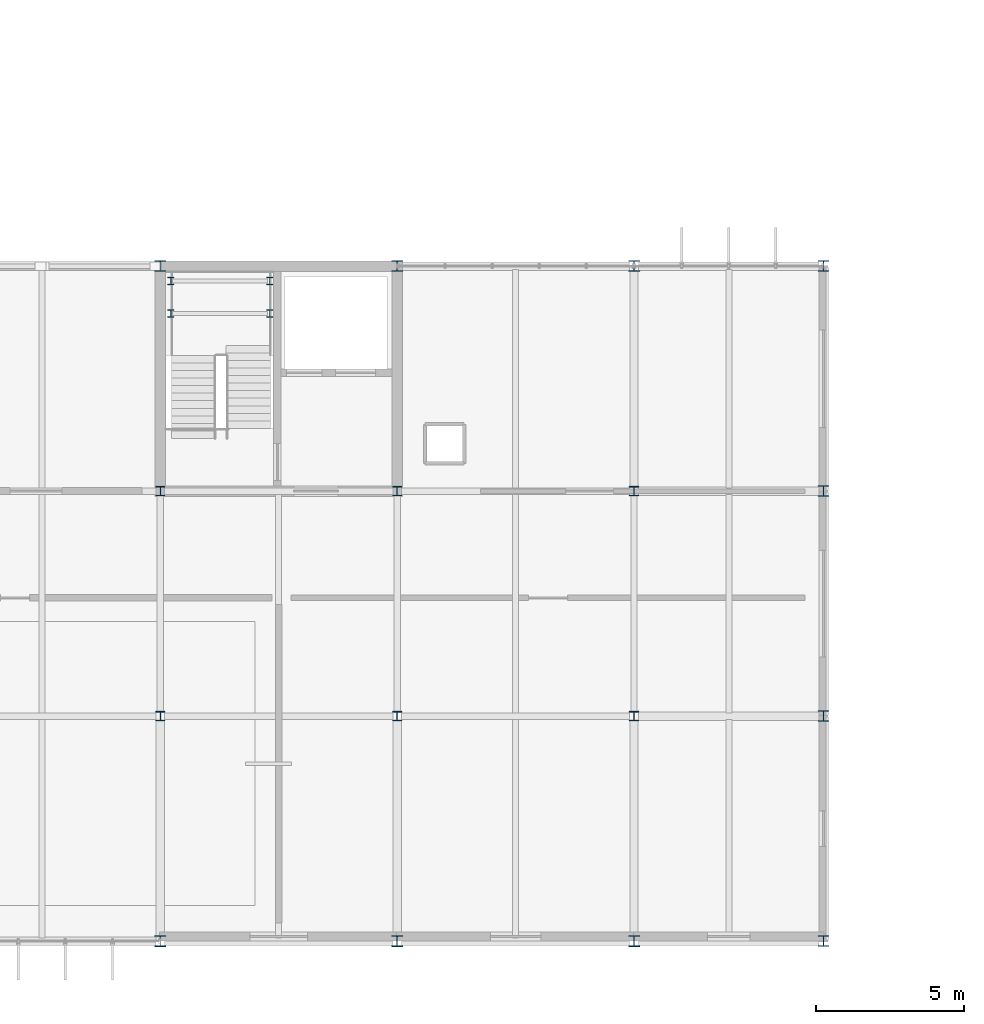
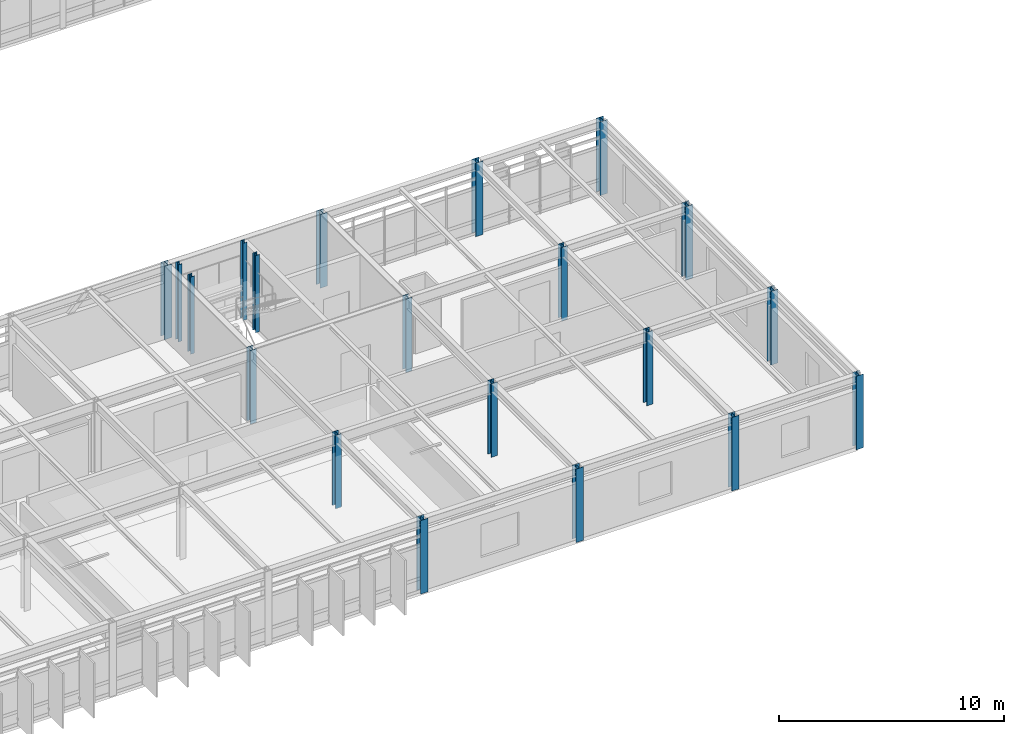
# One storey, part 3 of 45: 20 columns.
"""IFC4 building model written with IfcOpenShell, lengths in metres."""

from ifc_helpers import new_model, si_unit, direction, frame, origin, origin_2d, place, context, subcontext, project, spatial, i_section, extrude, material, material_profile, profile_set, type_object, element, save


model = new_model("IFC4")

# Units and contexts
model_context = context("Model", 3, precision=1e-05, world=origin(), true_north=direction((0.0, 1.0)))
body_context = subcontext(model_context, "Body", "Model", "MODEL_VIEW")
ifc_project = project(units=[si_unit("LENGTHUNIT", "METRE"), si_unit("AREAUNIT", "SQUARE_METRE"), si_unit("VOLUMEUNIT", "CUBIC_METRE"), si_unit("PLANEANGLEUNIT", "RADIAN"), si_unit("MASSUNIT", "GRAM", prefix="KILO")], contexts=[model_context])

# Site, building, storey
site_placement = place(None, origin())
site = spatial("IfcSite", under=ifc_project, at=site_placement, CompositionType="ELEMENT")
building_placement = place(site_placement, origin())
building = spatial("IfcBuilding", under=site, at=building_placement, Name="Zulena Civic Courthouse", CompositionType="ELEMENT")
storey_placement = place(building_placement, frame((0.0, 0.0, 29.39990234375)))
storey = spatial("IfcBuildingStorey", under=building, at=storey_placement, Name="L06", CompositionType="ELEMENT", Elevation=29.39990234375)

# Columns
ifc_material = material(Name="Steel ASTM A992 Grade 50", Category="steel")
ifc_material_profile_1 = material_profile(ifc_material, i_section(OverallWidth=0.2041015625, OverallDepth=0.257080078125, WebThickness=0.0087890625, FlangeThickness=0.015625, FilletRadius=0.0126953125, at=origin_2d()), Name="W10X45")
ifc_profile_set_1 = profile_set([ifc_material_profile_1], Name="Steel ASTM A992 Grade 50")
column_type_1 = type_object("IfcColumnType", Name="Col_W10X45", PredefinedType="COLUMN", material=ifc_profile_set_1)
for number, where, z_axis, x_axis, name in (
    (1, (44.360107421875, 21.199951171875, 0.0), (0.0, 0.0, 1.0), (1.0, 0.0, 0.0), "col:lnd:K2B:L06:0:0"),
    (2, (47.699951171875, 21.199951171875, 0.0), (0.0, 0.0, 1.0), (1.0, 0.0, 0.0), "col:lnd:K2B:L06:0:1"),
    (3, (44.360107421875, 22.300048828125, 0.0), (0.0, 0.0, 1.0), (1.0, 0.0, 0.0), "col:lnd:K2B:L06:1:0"),
    (4, (47.699951171875, 22.300048828125, 0.0), (0.0, 0.0, 1.0), (1.0, 0.0, 0.0), "col:lnd:K2B:L06:1:1"),
):
    element("IfcColumn", number, at=place(storey_placement, frame(where, z_axis=z_axis, x_axis=x_axis)), inside=storey, type_object=column_type_1, Name=name, PredefinedType="COLUMN", context=body_context, shape_type="SweptSolid", body=[
        extrude(i_section(OverallWidth=0.2041015625, OverallDepth=0.257080078125, WebThickness=0.0087890625, FlangeThickness=0.015625, FilletRadius=0.0126953125, at=origin_2d()), origin(), (0.0, 0.0, 1.0), 4.195068359375),
    ])
ifc_material_profile_2 = material_profile(ifc_material, i_section(OverallWidth=0.30908203125, OverallDepth=0.322998046875, WebThickness=0.013916015625, FlangeThickness=0.02294921875, FilletRadius=0.01513671875, at=origin_2d()), Name="W12X96")
ifc_profile_set_2 = profile_set([ifc_material_profile_2], Name="Steel ASTM A992 Grade 50")
column_type_2 = type_object("IfcColumnType", Name="Col_W12X96", PredefinedType="COLUMN", material=ifc_profile_set_2)
for number, where, z_axis, x_axis, name in (
    (5, (44.0, 7.60009765625, 0.0), (0.0, 0.0, 1.0), (1.0, 0.0, 0.0), "col:V2:L06:44.0:7.6"),
    (6, (44.0, 15.199951171875, 0.0), (0.0, 0.0, 1.0), (1.0, 0.0, 0.0), "col:V2:L06:44.0:15.2"),
    (7, (52.0, 7.60009765625, 0.0), (0.0, 0.0, 1.0), (1.0, 0.0, 0.0), "col:V2:L06:52.0:7.6"),
    (8, (52.0, 15.199951171875, 0.0), (0.0, 0.0, 1.0), (1.0, 0.0, 0.0), "col:V2:L06:52.0:15.2"),
    (9, (60.0, 7.60009765625, 0.0), (0.0, 0.0, 1.0), (1.0, 0.0, 0.0), "col:V2:L06:60.0:7.6"),
    (10, (60.0, 15.199951171875, 0.0), (0.0, 0.0, 1.0), (1.0, 0.0, 0.0), "col:V2:L06:60.0:15.2"),
):
    element("IfcColumn", number, at=place(storey_placement, frame(where, z_axis=z_axis, x_axis=x_axis)), inside=storey, type_object=column_type_2, Name=name, PredefinedType="COLUMN", context=body_context, shape_type="SweptSolid", body=[
        extrude(i_section(OverallWidth=0.30908203125, OverallDepth=0.322998046875, WebThickness=0.013916015625, FlangeThickness=0.02294921875, FilletRadius=0.01513671875, at=origin_2d()), origin(), (0.0, 0.0, 1.0), 4.0),
    ])
ifc_material_profile_3 = material_profile(ifc_material, i_section(OverallWidth=0.368896484375, OverallDepth=0.35595703125, WebThickness=0.01123046875, FlangeThickness=0.01806640625, FilletRadius=0.01513671875, at=origin_2d()), Name="W14X90")
ifc_profile_set_3 = profile_set([ifc_material_profile_3], Name="Steel ASTM A992 Grade 50")
column_type_3 = type_object("IfcColumnType", Name="Col_W14X90", PredefinedType="COLUMN", material=ifc_profile_set_3)
for number, where, z_axis, x_axis, name in (
    (11, (66.39990234375, 0.0, 0.0), (0.0, 0.0, 1.0), (1.0, 0.0, 0.0), "col:V2:L06:66.4:0.0"),
    (12, (66.39990234375, 7.60009765625, 0.0), (0.0, 0.0, 1.0), (1.0, 0.0, 0.0), "col:V2:L06:66.4:7.6"),
    (13, (66.39990234375, 15.199951171875, 0.0), (0.0, 0.0, 1.0), (1.0, 0.0, 0.0), "col:V2:L06:66.4:15.2"),
    (14, (66.39990234375, 22.800048828125, 0.0), (0.0, 0.0, 1.0), (1.0, 0.0, 0.0), "col:V2:L06:66.4:22.8"),
):
    element("IfcColumn", number, at=place(storey_placement, frame(where, z_axis=z_axis, x_axis=x_axis)), inside=storey, type_object=column_type_3, Name=name, PredefinedType="COLUMN", context=body_context, shape_type="SweptSolid", body=[
        extrude(i_section(OverallWidth=0.368896484375, OverallDepth=0.35595703125, WebThickness=0.01123046875, FlangeThickness=0.01806640625, FilletRadius=0.01513671875, at=origin_2d()), origin(), (0.0, 0.0, 1.0), 4.0),
    ])
ifc_material_profile_4 = material_profile(ifc_material, i_section(OverallWidth=0.3701171875, OverallDepth=0.360107421875, WebThickness=0.01220703125, FlangeThickness=0.019775390625, FilletRadius=0.01513671875, at=origin_2d()), Name="W14X99")
ifc_profile_set_4 = profile_set([ifc_material_profile_4], Name="Steel ASTM A992 Grade 50")
column_type_4 = type_object("IfcColumnType", Name="Col_W14X99", PredefinedType="COLUMN", material=ifc_profile_set_4)
for number, where, z_axis, x_axis, name in (
    (15, (44.0, 0.0, 0.0), (0.0, 0.0, 1.0), (1.0, 0.0, 0.0), "col:V2:L06:44.0:0.0"),
    (16, (44.0, 22.800048828125, 0.0), (0.0, 0.0, 1.0), (1.0, 0.0, 0.0), "col:V2:L06:44.0:22.8"),
    (17, (52.0, 0.0, 0.0), (0.0, 0.0, 1.0), (1.0, 0.0, 0.0), "col:V2:L06:52.0:0.0"),
    (18, (52.0, 22.800048828125, 0.0), (0.0, 0.0, 1.0), (1.0, 0.0, 0.0), "col:V2:L06:52.0:22.8"),
    (19, (60.0, 0.0, 0.0), (0.0, 0.0, 1.0), (1.0, 0.0, 0.0), "col:V2:L06:60.0:0.0"),
    (20, (60.0, 22.800048828125, 0.0), (0.0, 0.0, 1.0), (1.0, 0.0, 0.0), "col:V2:L06:60.0:22.8"),
):
    element("IfcColumn", number, at=place(storey_placement, frame(where, z_axis=z_axis, x_axis=x_axis)), inside=storey, type_object=column_type_4, Name=name, PredefinedType="COLUMN", context=body_context, shape_type="SweptSolid", body=[
        extrude(i_section(OverallWidth=0.3701171875, OverallDepth=0.360107421875, WebThickness=0.01220703125, FlangeThickness=0.019775390625, FilletRadius=0.01513671875, at=origin_2d()), origin(), (0.0, 0.0, 1.0), 4.0),
    ])

save(model, "model.ifc")
